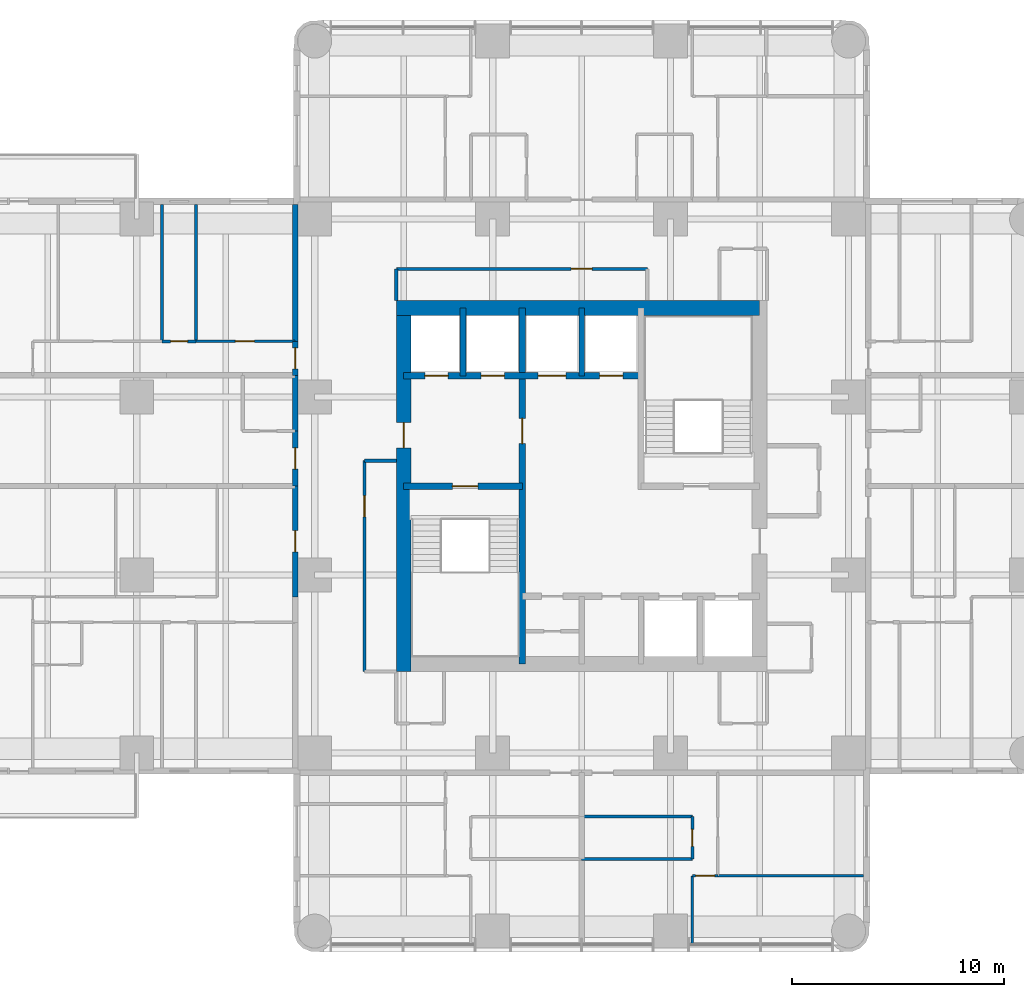
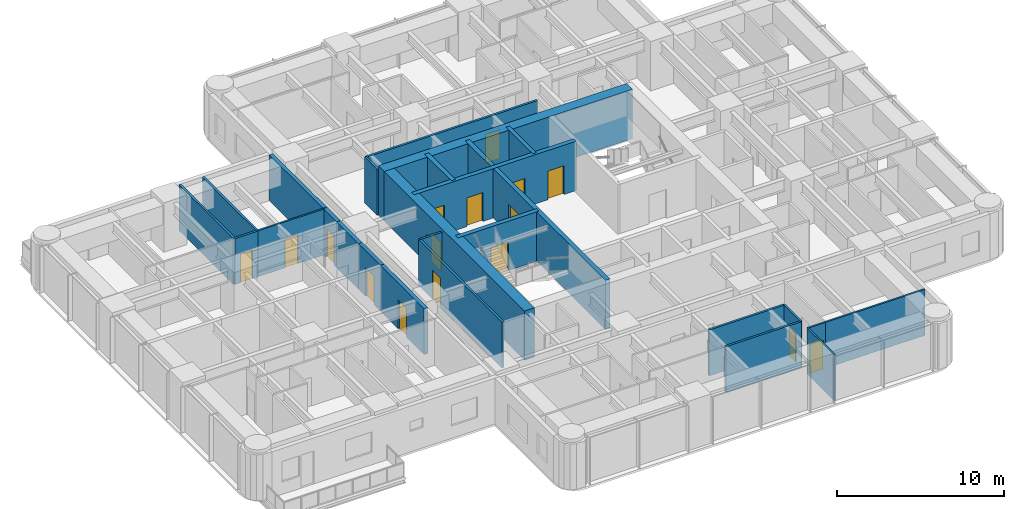
# One storey, part 6 of 11: 26 walls, 16 doors, 16 openings.
"""IFC4 building model written with IfcOpenShell, lengths in metres."""

from ifc_helpers import new_model, si_unit, direction, frame, frame_2d, origin, place, context, subcontext, project, spatial, rectangle, extrude, material, layer, layer_set, type_object, element, fill, save


model = new_model("IFC4")

# Units and contexts
model_context = context("Model", 3, precision=1e-05, world=origin(), true_north=direction((0.0, 1.0)))
body_context = subcontext(model_context, "Body", "Model", "MODEL_VIEW")
ifc_project = project(units=[si_unit("LENGTHUNIT", "METRE"), si_unit("AREAUNIT", "SQUARE_METRE"), si_unit("VOLUMEUNIT", "CUBIC_METRE"), si_unit("PLANEANGLEUNIT", "RADIAN"), si_unit("MASSUNIT", "GRAM", prefix="KILO")], contexts=[model_context])

# Site, building, storey
site_placement = place(None, origin())
site = spatial("IfcSite", under=ifc_project, at=site_placement, CompositionType="ELEMENT")
building_placement = place(site_placement, origin())
building = spatial("IfcBuilding", under=site, at=building_placement, Name="Torre Alcanfor", CompositionType="ELEMENT")
storey_placement = place(building_placement, frame((0.0, 0.0, 244.5)))
storey = spatial("IfcBuildingStorey", under=building, at=storey_placement, Name="L64", CompositionType="ELEMENT", Elevation=244.5)

# Wall, opening, door
ifc_material_1 = material(Name="Concrete block masonry, hollow blocks NMX-C-404 9 MPa", Category="masonry")
ifc_layer_1 = layer(ifc_material_1, 0.25)
ifc_layer_set_1 = layer_set([ifc_layer_1], Name="Apartment entrance wall 250 EI 60")
wall_type_1 = type_object("IfcWallType", Name="Apartment entrance wall 250 EI 60", PredefinedType="PARTITIONING", material=ifc_layer_set_1)
wall_1_placement = place(storey_placement, frame((15.875, 24.1708984375, 0.0), z_axis=(0.0, 0.0, 1.0), x_axis=(0.0, 1.0, 0.0)))
wall_1 = element("IfcWall", 1, at=wall_1_placement, inside=storey, type_object=wall_type_1, Name="Partition L64-CORR / L64-W1-ZAG", PredefinedType="PARTITIONING", context=body_context, shape_type="SweptSolid", body=[
    extrude(rectangle(XDim=5.22900390625, YDim=0.25, at=frame_2d((2.614501953125, 0.0))), origin(), (0.0, 0.0, 1.0), 3.35009765625),
])
opening_1_placement = place(wall_1_placement, frame((2.12890625, 0.0, 0.0)))
opening_1 = element("IfcOpeningElement", 2, at=opening_1_placement, cuts=wall_1, Name="Opening D-A1", PredefinedType="OPENING", context=body_context, shape_type="SweptSolid", body=[
    extrude(rectangle(XDim=1.0, YDim=2.10009765625, at=frame_2d((0.5, 1.050048828125))), frame((0.0, 0.135009765625, 0.0), z_axis=(0.0, -1.0, 0.0), x_axis=(1.0, 0.0, 0.0)), (0.0, 0.0, 1.0), 0.27001953125),
])
ifc_material_2 = material(Name="Galvanised steel sheet ASTM A653", Category="steel")
door_type_1 = type_object("IfcDoorType", Name="Apartment entrance door FD60 1000x2100", OperationType="SINGLE_SWING_LEFT", PredefinedType="DOOR", material=ifc_material_2)
door_1_placement = place(opening_1_placement, origin())
door_1 = element("IfcDoor", 3, at=door_1_placement, inside=storey, type_object=door_type_1, Name="Apartment entrance L64-W1", OperationType="SINGLE_SWING_RIGHT", OverallHeight=2.10009765625, OverallWidth=1.0, PredefinedType="DOOR", context=body_context, shape_type="SweptSolid", body=[
    extrude(rectangle(XDim=1.0, YDim=2.10009765625, at=frame_2d((0.5, 1.050048828125))), frame((0.0, 0.02490234375, 0.0), z_axis=(0.0, -1.0, 0.0), x_axis=(1.0, 0.0, 0.0)), (0.0, 0.0, 1.0), 0.050048828125),
])
fill(opening_1, door_1)

wall_2_placement = place(storey_placement, frame((15.875, 29.39990234375, 0.0), z_axis=(0.0, 0.0, 1.0), x_axis=(0.0, 1.0, 0.0)))
wall_2 = element("IfcWall", 4, at=wall_2_placement, inside=storey, type_object=wall_type_1, Name="Partition L64-CORR / L64-W2A-FOYER", PredefinedType="PARTITIONING", context=body_context, shape_type="SweptSolid", body=[
    extrude(rectangle(XDim=2.60009765625, YDim=0.25, at=frame_2d((1.300048828125, 0.0))), origin(), (0.0, 0.0, 1.0), 3.35009765625),
])
opening_2_placement = place(wall_2_placement, frame((0.800048828125, 0.0, 0.0)))
opening_2 = element("IfcOpeningElement", 5, at=opening_2_placement, cuts=wall_2, Name="Opening D-A1", PredefinedType="OPENING", context=body_context, shape_type="SweptSolid", body=[
    extrude(rectangle(XDim=1.0, YDim=2.10009765625, at=frame_2d((0.5, 1.050048828125))), frame((0.0, 0.135009765625, 0.0), z_axis=(0.0, -1.0, 0.0), x_axis=(1.0, 0.0, 0.0)), (0.0, 0.0, 1.0), 0.27001953125),
])
door_2_placement = place(opening_2_placement, origin())
door_2 = element("IfcDoor", 6, at=door_2_placement, inside=storey, type_object=door_type_1, Name="Apartment entrance L64-W2A", OperationType="SINGLE_SWING_LEFT", OverallHeight=2.10009765625, OverallWidth=1.0, PredefinedType="DOOR", context=body_context, shape_type="SweptSolid", body=[
    extrude(rectangle(XDim=1.0, YDim=2.10009765625, at=frame_2d((0.5, 1.050048828125))), frame((0.0, 0.02490234375, 0.0), z_axis=(0.0, -1.0, 0.0), x_axis=(1.0, 0.0, 0.0)), (0.0, 0.0, 1.0), 0.050048828125),
])
fill(opening_2, door_2)

# Wall
wall_3_placement = place(storey_placement, frame((15.875, 32.0, 0.0), z_axis=(0.0, 0.0, 1.0), x_axis=(0.0, 1.0, 0.0)))
element("IfcWall", 7, at=wall_3_placement, inside=storey, type_object=wall_type_1, Name="Partition L64-CORR / L64-W2A-BATH", PredefinedType="PARTITIONING", context=body_context, shape_type="SweptSolid", body=[
    extrude(rectangle(XDim=2.62890625, YDim=0.25, at=frame_2d((1.314453125, 0.0))), origin(), (0.0, 0.0, 1.0), 3.35009765625),
])

# Wall, opening, door
wall_4_placement = place(storey_placement, frame((15.875, 34.62890625, 0.0), z_axis=(0.0, 0.0, 1.0), x_axis=(0.0, 1.0, 0.0)))
wall_4 = element("IfcWall", 8, at=wall_4_placement, inside=storey, type_object=wall_type_1, Name="Partition L64-CORR / L64-W2B-HALL", PredefinedType="PARTITIONING", context=body_context, shape_type="SweptSolid", body=[
    extrude(rectangle(XDim=1.60009765625, YDim=0.25, at=frame_2d((0.800048828125, 0.0))), origin(), (0.0, 0.0, 1.0), 3.35009765625),
])
opening_3_placement = place(wall_4_placement, frame((0.300048828125, 0.0, 0.0)))
opening_3 = element("IfcOpeningElement", 9, at=opening_3_placement, cuts=wall_4, Name="Opening D-A1", PredefinedType="OPENING", context=body_context, shape_type="SweptSolid", body=[
    extrude(rectangle(XDim=1.0, YDim=2.10009765625, at=frame_2d((0.5, 1.050048828125))), frame((0.0, 0.135009765625, 0.0), z_axis=(0.0, -1.0, 0.0), x_axis=(1.0, 0.0, 0.0)), (0.0, 0.0, 1.0), 0.27001953125),
])
door_3_placement = place(opening_3_placement, origin())
door_3 = element("IfcDoor", 10, at=door_3_placement, inside=storey, type_object=door_type_1, Name="Apartment entrance L64-W2B", OperationType="SINGLE_SWING_LEFT", OverallHeight=2.10009765625, OverallWidth=1.0, PredefinedType="DOOR", context=body_context, shape_type="SweptSolid", body=[
    extrude(rectangle(XDim=1.0, YDim=2.10009765625, at=frame_2d((0.5, 1.050048828125))), frame((0.0, 0.02490234375, 0.0), z_axis=(0.0, -1.0, 0.0), x_axis=(1.0, 0.0, 0.0)), (0.0, 0.0, 1.0), 0.050048828125),
])
fill(opening_3, door_3)

# Wall
wall_5_placement = place(storey_placement, frame((15.875, 36.22900390625, 0.0), z_axis=(0.0, 0.0, 1.0), x_axis=(0.0, 1.0, 0.0)))
element("IfcWall", 11, at=wall_5_placement, inside=storey, type_object=wall_type_1, Name="Partition L64-CORR / L64-W2B-BED2", PredefinedType="PARTITIONING", context=body_context, shape_type="SweptSolid", body=[
    extrude(rectangle(XDim=6.470947265625, YDim=0.25, at=frame_2d((3.2353515625, 0.0))), origin(), (0.0, 0.0, 1.0), 3.35009765625),
])

# Wall, opening, door
ifc_material_3 = material(Name="Gypsum board on steel studs", Category="steel")
ifc_layer_2 = layer(ifc_material_3, 0.1201171875)
ifc_layer_set_2 = layer_set([ifc_layer_2], Name="Apartment partition 120")
wall_type_2 = type_object("IfcWallType", Name="Apartment partition 120", PredefinedType="PARTITIONING", material=ifc_layer_set_2)
wall_6_placement = place(storey_placement, frame((35.8291015625, 11.0, 0.0), z_axis=(0.0, 0.0, 1.0), x_axis=(-1.0, 0.0, 0.0)))
wall_6 = element("IfcWall", 12, at=wall_6_placement, inside=storey, type_object=wall_type_2, Name="Partition L64-S1-LIVING / L64-S1-MASTER", PredefinedType="PARTITIONING", context=body_context, shape_type="SweptSolid", body=[
    extrude(rectangle(XDim=1.2001953125, YDim=0.1201171875, at=frame_2d((0.60009765625, 0.0))), origin(), (0.0, 0.0, 1.0), 3.35009765625),
])
opening_4_placement = place(wall_6_placement, frame((0.14892578125, 0.0, 0.0)))
opening_4 = element("IfcOpeningElement", 13, at=opening_4_placement, cuts=wall_6, Name="Opening D-R1", PredefinedType="OPENING", context=body_context, shape_type="SweptSolid", body=[
    extrude(rectangle(XDim=0.89990234375, YDim=2.10009765625, at=frame_2d((0.449951171875, 1.050048828125))), frame((0.0, 0.070068359375, 0.0), z_axis=(0.0, -1.0, 0.0), x_axis=(1.0, 0.0, 0.0)), (0.0, 0.0, 1.0), 0.14013671875),
])
ifc_material_4 = material(Name="Timber", Category="wood")
door_type_2 = type_object("IfcDoorType", Name="Internal door 900x2100", OperationType="SINGLE_SWING_LEFT", PredefinedType="DOOR", material=ifc_material_4)
door_4_placement = place(opening_4_placement, origin())
door_4 = element("IfcDoor", 14, at=door_4_placement, inside=storey, type_object=door_type_2, Name="Door L64-S1 master", OperationType="SINGLE_SWING_RIGHT", OverallHeight=2.10009765625, OverallWidth=0.89990234375, PredefinedType="DOOR", context=body_context, shape_type="SweptSolid", body=[
    extrude(rectangle(XDim=0.89990234375, YDim=2.10009765625, at=frame_2d((0.449951171875, 1.050048828125))), frame((0.0, 0.02490234375, 0.0), z_axis=(0.0, -1.0, 0.0), x_axis=(1.0, 0.0, 0.0)), (0.0, 0.0, 1.0), 0.050048828125),
])
fill(opening_4, door_4)

# Walls
wall_7_placement = place(storey_placement, frame((34.62890625, 11.0, 0.0), z_axis=(0.0, 0.0, 1.0), x_axis=(0.0, -1.0, 0.0)))
element("IfcWall", 15, at=wall_7_placement, inside=storey, type_object=wall_type_2, Name="Partition L64-S1-LIVING / L64-S1-MASTER", PredefinedType="PARTITIONING", context=body_context, shape_type="SweptSolid", body=[
    extrude(rectangle(XDim=3.25, YDim=0.1201171875, at=frame_2d((1.625, 0.0))), origin(), (0.0, 0.0, 1.0), 3.35009765625),
])
wall_8_placement = place(storey_placement, frame((35.8291015625, 11.0, 0.0), z_axis=(0.0, 0.0, 1.0), x_axis=(1.0, 0.0, 0.0)))
element("IfcWall", 16, at=wall_8_placement, inside=storey, type_object=wall_type_2, Name="Partition L64-S1-BED2 / L64-S1-MASTER", PredefinedType="PARTITIONING", context=body_context, shape_type="SweptSolid", body=[
    extrude(rectangle(XDim=6.870849609375, YDim=0.1201171875, at=frame_2d((3.435546875, 0.0))), origin(), (0.0, 0.0, 1.0), 3.35009765625),
])

# Wall, opening, door
wall_9_placement = place(storey_placement, frame((11.199951171875, 36.22900390625, 0.0), z_axis=(0.0, 0.0, 1.0), x_axis=(1.0, 0.0, 0.0)))
wall_9 = element("IfcWall", 17, at=wall_9_placement, inside=storey, type_object=wall_type_2, Name="Partition L64-W2B-HALL / L64-W2B-BED2", PredefinedType="PARTITIONING", context=body_context, shape_type="SweptSolid", body=[
    extrude(rectangle(XDim=4.675048828125, YDim=0.1201171875, at=frame_2d((2.33740234375, 0.0))), origin(), (0.0, 0.0, 1.0), 3.35009765625),
])
opening_5_placement = place(wall_9_placement, frame((1.85009765625, 0.0, 0.0)))
opening_5 = element("IfcOpeningElement", 18, at=opening_5_placement, cuts=wall_9, Name="Opening D-R1", PredefinedType="OPENING", context=body_context, shape_type="SweptSolid", body=[
    extrude(rectangle(XDim=0.89990234375, YDim=2.10009765625, at=frame_2d((0.449951171875, 1.050048828125))), frame((0.0, 0.070068359375, 0.0), z_axis=(0.0, -1.0, 0.0), x_axis=(1.0, 0.0, 0.0)), (0.0, 0.0, 1.0), 0.14013671875),
])
door_5_placement = place(opening_5_placement, origin())
door_5 = element("IfcDoor", 19, at=door_5_placement, inside=storey, type_object=door_type_2, Name="Door L64-W2B bed2", OperationType="SINGLE_SWING_LEFT", OverallHeight=2.10009765625, OverallWidth=0.89990234375, PredefinedType="DOOR", context=body_context, shape_type="SweptSolid", body=[
    extrude(rectangle(XDim=0.89990234375, YDim=2.10009765625, at=frame_2d((0.449951171875, 1.050048828125))), frame((0.0, 0.02490234375, 0.0), z_axis=(0.0, -1.0, 0.0), x_axis=(1.0, 0.0, 0.0)), (0.0, 0.0, 1.0), 0.050048828125),
])
fill(opening_5, door_5)

ifc_material_5 = material(Name="Concrete f'c 70 MPa", Category="concrete")
ifc_layer_3 = layer(ifc_material_5, 0.300048828125)
ifc_layer_set_3 = layer_set([ifc_layer_3], Name="Core inner wall 300 f'c70")
wall_type_3 = type_object("IfcWallType", Name="Core inner wall 300 f'c70", PredefinedType="SHEAR", material=ifc_layer_set_3)
wall_10_placement = place(storey_placement, frame((26.60009765625, 21.0, 0.0), z_axis=(0.0, 0.0, 1.0), x_axis=(0.0, 1.0, 0.0)))
wall_10 = element("IfcWall", 20, at=wall_10_placement, inside=storey, type_object=wall_type_3, Name="Core wall X266 L64", PredefinedType="SHEAR", context=body_context, shape_type="SweptSolid", body=[
    extrude(rectangle(XDim=16.800048828125, YDim=0.300048828125, at=frame_2d((8.39990234375, 0.0))), origin(), (0.0, 0.0, 1.0), 3.60009765625),
])
opening_6_placement = place(wall_10_placement, frame((10.39990234375, 0.0, 0.0)))
opening_6 = element("IfcOpeningElement", 21, at=opening_6_placement, cuts=wall_10, Name="Opening D-L1", PredefinedType="OPENING", context=body_context, shape_type="SweptSolid", body=[
    extrude(rectangle(XDim=1.199951171875, YDim=2.10009765625, at=frame_2d((0.60009765625, 1.050048828125))), frame((0.0, 0.159912109375, 0.0), z_axis=(0.0, -1.0, 0.0), x_axis=(1.0, 0.0, 0.0)), (0.0, 0.0, 1.0), 0.320068359375),
])
ifc_material_6 = material(Name="Galvanised steel sheet ASTM A653", Category="steel")
door_type_3 = type_object("IfcDoorType", Name="Lobby door FD120 1200x2100", OperationType="SINGLE_SWING_LEFT", PredefinedType="DOOR", material=ifc_material_6)
door_6_placement = place(opening_6_placement, origin())
door_6 = element("IfcDoor", 22, at=door_6_placement, inside=storey, type_object=door_type_3, Name="Lift lobby door L64", OperationType="SINGLE_SWING_LEFT", OverallHeight=2.10009765625, OverallWidth=1.199951171875, PredefinedType="DOOR", context=body_context, shape_type="SweptSolid", body=[
    extrude(rectangle(XDim=1.199951171875, YDim=2.10009765625, at=frame_2d((0.60009765625, 1.050048828125))), frame((0.0, 0.02490234375, 0.0), z_axis=(0.0, -1.0, 0.0), x_axis=(1.0, 0.0, 0.0)), (0.0, 0.0, 1.0), 0.050048828125),
])
fill(opening_6, door_6)

wall_11_placement = place(storey_placement, frame((21.0, 29.39990234375, 0.0), z_axis=(0.0, 0.0, 1.0), x_axis=(1.0, 0.0, 0.0)))
wall_11 = element("IfcWall", 23, at=wall_11_placement, inside=storey, type_object=wall_type_3, Name="Core wall Y294W L64", PredefinedType="SHEAR", context=body_context, shape_type="SweptSolid", body=[
    extrude(rectangle(XDim=5.60009765625, YDim=0.300048828125, at=frame_2d((2.800048828125, 0.0))), origin(), (0.0, 0.0, 1.0), 3.60009765625),
])
opening_7_placement = place(wall_11_placement, frame((2.300048828125, 0.0, 0.0)))
opening_7 = element("IfcOpeningElement", 24, at=opening_7_placement, cuts=wall_11, Name="Opening D-S2", PredefinedType="OPENING", context=body_context, shape_type="SweptSolid", body=[
    extrude(rectangle(XDim=1.199951171875, YDim=2.10009765625, at=frame_2d((0.60009765625, 1.050048828125))), frame((0.0, 0.159912109375, 0.0), z_axis=(0.0, -1.0, 0.0), x_axis=(1.0, 0.0, 0.0)), (0.0, 0.0, 1.0), 0.320068359375),
])
ifc_material_7 = material(Name="Galvanised steel sheet ASTM A653", Category="steel")
door_type_4 = type_object("IfcDoorType", Name="Stair enclosure door FD120 1200x2100", OperationType="SINGLE_SWING_LEFT", PredefinedType="DOOR", material=ifc_material_7)
door_7_placement = place(opening_7_placement, frame((1.199951171875, 0.0, 0.0), z_axis=(0.0, 0.0, 1.0), x_axis=(-1.0, 0.0, 0.0)))
door_7 = element("IfcDoor", 25, at=door_7_placement, inside=storey, type_object=door_type_4, Name="Stair S1 door L64", OperationType="SINGLE_SWING_LEFT", OverallHeight=2.10009765625, OverallWidth=1.199951171875, PredefinedType="DOOR", context=body_context, shape_type="SweptSolid", body=[
    extrude(rectangle(XDim=1.199951171875, YDim=2.10009765625, at=frame_2d((0.599853515625, 1.050048828125))), frame((0.0, 0.025146484375, 0.0), z_axis=(0.0, -1.0, 0.0), x_axis=(1.0, 0.0, 0.0)), (0.0, 0.0, 1.0), 0.050048828125),
])
fill(opening_7, door_7)

# Wall, openings, doors
wall_12_placement = place(storey_placement, frame((21.0, 34.60009765625, 0.0), z_axis=(0.0, 0.0, 1.0), x_axis=(1.0, 0.0, 0.0)))
wall_12 = element("IfcWall", 26, at=wall_12_placement, inside=storey, type_object=wall_type_3, Name="Core wall Y346 L64", PredefinedType="SHEAR", context=body_context, shape_type="SweptSolid", body=[
    extrude(rectangle(XDim=11.199951171875, YDim=0.300048828125, at=frame_2d((5.60009765625, 0.0))), origin(), (0.0, 0.0, 1.0), 3.60009765625),
])
opening_8_placement = place(wall_12_placement, frame((9.25, 0.0, 0.0)))
opening_8 = element("IfcOpeningElement", 27, at=opening_8_placement, cuts=wall_12, Name="Opening LD1", PredefinedType="OPENING", context=body_context, shape_type="SweptSolid", body=[
    extrude(rectangle(XDim=1.10009765625, YDim=2.10009765625, at=frame_2d((0.550048828125, 1.050048828125))), frame((0.0, 0.159912109375, 0.0), z_axis=(0.0, -1.0, 0.0), x_axis=(1.0, 0.0, 0.0)), (0.0, 0.0, 1.0), 0.320068359375),
])
opening_9_placement = place(wall_12_placement, frame((1.0, 0.0, 0.0)))
opening_9 = element("IfcOpeningElement", 28, at=opening_9_placement, cuts=wall_12, Name="Opening LD2", PredefinedType="OPENING", context=body_context, shape_type="SweptSolid", body=[
    extrude(rectangle(XDim=1.10009765625, YDim=2.10009765625, at=frame_2d((0.550048828125, 1.050048828125))), frame((0.0, 0.159912109375, 0.0), z_axis=(0.0, -1.0, 0.0), x_axis=(1.0, 0.0, 0.0)), (0.0, 0.0, 1.0), 0.320068359375),
])
opening_10_placement = place(wall_12_placement, frame((3.64990234375, 0.0, 0.0)))
opening_10 = element("IfcOpeningElement", 29, at=opening_10_placement, cuts=wall_12, Name="Opening LD2", PredefinedType="OPENING", context=body_context, shape_type="SweptSolid", body=[
    extrude(rectangle(XDim=1.10009765625, YDim=2.10009765625, at=frame_2d((0.550048828125, 1.050048828125))), frame((0.0, 0.159912109375, 0.0), z_axis=(0.0, -1.0, 0.0), x_axis=(1.0, 0.0, 0.0)), (0.0, 0.0, 1.0), 0.320068359375),
])
opening_11_placement = place(wall_12_placement, frame((6.35009765625, 0.0, 0.0)))
opening_11 = element("IfcOpeningElement", 30, at=opening_11_placement, cuts=wall_12, Name="Opening LD3", PredefinedType="OPENING", context=body_context, shape_type="SweptSolid", body=[
    extrude(rectangle(XDim=1.300048828125, YDim=2.10009765625, at=frame_2d((0.64990234375, 1.050048828125))), frame((0.0, 0.159912109375, 0.0), z_axis=(0.0, -1.0, 0.0), x_axis=(1.0, 0.0, 0.0)), (0.0, 0.0, 1.0), 0.320068359375),
])
ifc_material_8 = material(Name="Galvanised steel sheet ASTM A653", Category="steel")
door_type_5 = type_object("IfcDoorType", Name="Firefighting lift landing door 1100x2100", OperationType="DOUBLE_DOOR_SLIDING", PredefinedType="DOOR", material=ifc_material_8)
door_8_placement = place(opening_9_placement, origin())
door_8 = element("IfcDoor", 31, at=door_8_placement, inside=storey, type_object=door_type_5, Name="Lift landing door FL1 L64", OperationType="DOUBLE_DOOR_SLIDING", OverallHeight=2.10009765625, OverallWidth=1.10009765625, PredefinedType="DOOR", context=body_context, shape_type="SweptSolid", body=[
    extrude(rectangle(XDim=1.10009765625, YDim=2.10009765625, at=frame_2d((0.550048828125, 1.050048828125))), frame((0.0, 0.02490234375, 0.0), z_axis=(0.0, -1.0, 0.0), x_axis=(1.0, 0.0, 0.0)), (0.0, 0.0, 1.0), 0.050048828125),
])
fill(opening_9, door_8)
door_9_placement = place(opening_10_placement, origin())
door_9 = element("IfcDoor", 32, at=door_9_placement, inside=storey, type_object=door_type_5, Name="Lift landing door FL2 L64", OperationType="DOUBLE_DOOR_SLIDING", OverallHeight=2.10009765625, OverallWidth=1.10009765625, PredefinedType="DOOR", context=body_context, shape_type="SweptSolid", body=[
    extrude(rectangle(XDim=1.10009765625, YDim=2.10009765625, at=frame_2d((0.550048828125, 1.050048828125))), frame((0.0, 0.02490234375, 0.0), z_axis=(0.0, -1.0, 0.0), x_axis=(1.0, 0.0, 0.0)), (0.0, 0.0, 1.0), 0.050048828125),
])
fill(opening_10, door_9)
ifc_material_9 = material(Name="Galvanised steel sheet ASTM A653", Category="steel")
door_type_6 = type_object("IfcDoorType", Name="Lift landing door 1100x2100", OperationType="DOUBLE_DOOR_SLIDING", PredefinedType="DOOR", material=ifc_material_9)
door_10_placement = place(opening_8_placement, origin())
door_10 = element("IfcDoor", 33, at=door_10_placement, inside=storey, type_object=door_type_6, Name="Lift landing door PA5 L64", OperationType="DOUBLE_DOOR_SLIDING", OverallHeight=2.10009765625, OverallWidth=1.10009765625, PredefinedType="DOOR", context=body_context, shape_type="SweptSolid", body=[
    extrude(rectangle(XDim=1.10009765625, YDim=2.10009765625, at=frame_2d((0.550048828125, 1.050048828125))), frame((0.0, 0.02490234375, 0.0), z_axis=(0.0, -1.0, 0.0), x_axis=(1.0, 0.0, 0.0)), (0.0, 0.0, 1.0), 0.050048828125),
])
fill(opening_8, door_10)
ifc_material_10 = material(Name="Galvanised steel sheet ASTM A653", Category="steel")
door_type_7 = type_object("IfcDoorType", Name="Service lift landing door 1300x2100", OperationType="DOUBLE_DOOR_SLIDING", PredefinedType="DOOR", material=ifc_material_10)
door_11_placement = place(opening_11_placement, origin())
door_11 = element("IfcDoor", 34, at=door_11_placement, inside=storey, type_object=door_type_7, Name="Lift landing door SL1 L64", OperationType="DOUBLE_DOOR_SLIDING", OverallHeight=2.10009765625, OverallWidth=1.300048828125, PredefinedType="DOOR", context=body_context, shape_type="SweptSolid", body=[
    extrude(rectangle(XDim=1.300048828125, YDim=2.10009765625, at=frame_2d((0.64990234375, 1.050048828125))), frame((0.0, 0.02490234375, 0.0), z_axis=(0.0, -1.0, 0.0), x_axis=(1.0, 0.0, 0.0)), (0.0, 0.0, 1.0), 0.050048828125),
])
fill(opening_11, door_11)

# Walls
wall_13_placement = place(storey_placement, frame((23.800048828125, 34.60009765625, 0.0), z_axis=(0.0, 0.0, 1.0), x_axis=(0.0, 1.0, 0.0)))
element("IfcWall", 35, at=wall_13_placement, inside=storey, type_object=wall_type_3, Name="Core wall X238 L64", PredefinedType="SHEAR", context=body_context, shape_type="SweptSolid", body=[
    extrude(rectangle(XDim=3.199951171875, YDim=0.300048828125, at=frame_2d((1.60009765625, 0.0))), origin(), (0.0, 0.0, 1.0), 3.60009765625),
])
ifc_material_11 = material(Name="Concrete f'c 70 MPa", Category="concrete")
ifc_layer_4 = layer(ifc_material_11, 0.25)
ifc_layer_set_4 = layer_set([ifc_layer_4], Name="Core shaft wall 250 f'c70")
wall_type_4 = type_object("IfcWallType", Name="Core shaft wall 250 f'c70", PredefinedType="SHEAR", material=ifc_layer_set_4)
wall_14_placement = place(storey_placement, frame((29.39990234375, 34.60009765625, 0.0), z_axis=(0.0, 0.0, 1.0), x_axis=(0.0, 1.0, 0.0)))
element("IfcWall", 36, at=wall_14_placement, inside=storey, type_object=wall_type_4, Name="Core wall X294N L64", PredefinedType="SHEAR", context=body_context, shape_type="SweptSolid", body=[
    extrude(rectangle(XDim=3.199951171875, YDim=0.25, at=frame_2d((1.60009765625, 0.0))), origin(), (0.0, 0.0, 1.0), 3.60009765625),
])
ifc_material_12 = material(Name="Concrete f'c 70 MPa", Category="concrete")
ifc_layer_5 = layer(ifc_material_12, 0.699951171875)
ifc_layer_set_5 = layer_set([ifc_layer_5], Name="Core wall 700 f'c70")
wall_type_5 = type_object("IfcWallType", Name="Core wall 700 f'c70", PredefinedType="SHEAR", material=ifc_layer_set_5)
wall_15_placement = place(storey_placement, frame((37.800048828125, 37.800048828125, 0.0), z_axis=(0.0, 0.0, 1.0), x_axis=(-1.0, 0.0, 0.0)))
element("IfcWall", 37, at=wall_15_placement, inside=storey, type_object=wall_type_5, Name="Core wall OUT-N L64", PredefinedType="SHEAR", context=body_context, shape_type="SweptSolid", body=[
    extrude(rectangle(XDim=17.150146484375, YDim=0.699951171875, at=frame_2d((8.5751953125, 0.0))), origin(), (0.0, 0.0, 1.0), 3.60009765625),
])

# Wall, opening, door
wall_16_placement = place(storey_placement, frame((21.0, 37.800048828125, 0.0), z_axis=(0.0, 0.0, 1.0), x_axis=(0.0, -1.0, 0.0)))
wall_16 = element("IfcWall", 38, at=wall_16_placement, inside=storey, type_object=wall_type_5, Name="Core wall OUT-W L64", PredefinedType="SHEAR", context=body_context, shape_type="SweptSolid", body=[
    extrude(rectangle(XDim=17.150146484375, YDim=0.699951171875, at=frame_2d((8.5751953125, 0.0))), origin(), (0.0, 0.0, 1.0), 3.60009765625),
])
opening_12_placement = place(wall_16_placement, frame((5.39990234375, 0.0, 0.0)))
opening_12 = element("IfcOpeningElement", 39, at=opening_12_placement, cuts=wall_16, Name="Opening D-L1", PredefinedType="OPENING", context=body_context, shape_type="SweptSolid", body=[
    extrude(rectangle(XDim=1.199951171875, YDim=2.10009765625, at=frame_2d((0.60009765625, 1.050048828125))), frame((0.0, 0.35986328125, 0.0), z_axis=(0.0, -1.0, 0.0), x_axis=(1.0, 0.0, 0.0)), (0.0, 0.0, 1.0), 0.719970703125),
])
door_12_placement = place(opening_12_placement, origin())
door_12 = element("IfcDoor", 40, at=door_12_placement, inside=storey, type_object=door_type_3, Name="Firefighting lobby door L64", OperationType="SINGLE_SWING_LEFT", OverallHeight=2.10009765625, OverallWidth=1.199951171875, PredefinedType="DOOR", context=body_context, shape_type="SweptSolid", body=[
    extrude(rectangle(XDim=1.199951171875, YDim=2.10009765625, at=frame_2d((0.60009765625, 1.050048828125))), frame((0.0, 0.02490234375, 0.0), z_axis=(0.0, -1.0, 0.0), x_axis=(1.0, 0.0, 0.0)), (0.0, 0.0, 1.0), 0.050048828125),
])
fill(opening_12, door_12)

ifc_material_13 = material(Name="Concrete block masonry, hollow blocks NMX-C-404 9 MPa", Category="masonry")
ifc_layer_6 = layer(ifc_material_13, 0.14990234375)
ifc_layer_set_6 = layer_set([ifc_layer_6], Name="Residents' room partition 150")
wall_type_6 = type_object("IfcWallType", Name="Residents' room partition 150", PredefinedType="PARTITIONING", material=ifc_layer_set_6)
wall_17_placement = place(storey_placement, frame((32.5, 39.64990234375, 0.0), z_axis=(0.0, 0.0, 1.0), x_axis=(-1.0, 0.0, 0.0)))
wall_17 = element("IfcWall", 41, at=wall_17_placement, inside=storey, type_object=wall_type_6, Name="Partition L64-CORR / L64-G01", PredefinedType="PARTITIONING", context=body_context, shape_type="SweptSolid", body=[
    extrude(rectangle(XDim=11.85009765625, YDim=0.14990234375, at=frame_2d((5.925048828125, 0.0))), origin(), (0.0, 0.0, 1.0), 3.35009765625),
])
opening_13_placement = place(wall_17_placement, frame((2.60009765625, 0.0, 0.0)))
opening_13 = element("IfcOpeningElement", 42, at=opening_13_placement, cuts=wall_17, Name="Opening D-M1", PredefinedType="OPENING", context=body_context, shape_type="SweptSolid", body=[
    extrude(rectangle(XDim=1.0, YDim=2.10009765625, at=frame_2d((0.5, 1.050048828125))), frame((0.0, 0.0849609375, 0.0), z_axis=(0.0, -1.0, 0.0), x_axis=(1.0, 0.0, 0.0)), (0.0, 0.0, 1.0), 0.169921875),
])
ifc_material_14 = material(Name="Timber", Category="wood")
door_type_8 = type_object("IfcDoorType", Name="Residents' room door 1000x2100", OperationType="SINGLE_SWING_LEFT", PredefinedType="DOOR", material=ifc_material_14)
door_13_placement = place(opening_13_placement, origin())
door_13 = element("IfcDoor", 43, at=door_13_placement, inside=storey, type_object=door_type_8, Name="Door L64-G01 residents' lockers", OperationType="SINGLE_SWING_LEFT", OverallHeight=2.10009765625, OverallWidth=1.0, PredefinedType="DOOR", context=body_context, shape_type="SweptSolid", body=[
    extrude(rectangle(XDim=1.0, YDim=2.10009765625, at=frame_2d((0.5, 1.050048828125))), frame((0.0, 0.02490234375, 0.0), z_axis=(0.0, -1.0, 0.0), x_axis=(1.0, 0.0, 0.0)), (0.0, 0.0, 1.0), 0.050048828125),
])
fill(opening_13, door_13)

# Walls
for number, where, z_axis, x_axis, name in (
    (44, (20.64990234375, 39.64990234375, 0.0), (0.0, 0.0, 1.0), (0.0, -1.0, 0.0), "Partition L64-CORR / L64-G01"),
    (45, (20.64990234375, 30.60009765625, 0.0), (0.0, 0.0, 1.0), (-1.0, 0.0, 0.0), "Partition L64-CORR / L64-G07"),
):
    element("IfcWall", number, at=place(storey_placement, frame(where, z_axis=z_axis, x_axis=x_axis)), inside=storey, type_object=wall_type_6, Name=name, PredefinedType="PARTITIONING", context=body_context, shape_type="SweptSolid", body=[
        extrude(rectangle(XDim=1.5, YDim=0.14990234375, at=frame_2d((0.75, 0.0))), origin(), (0.0, 0.0, 1.0), 3.35009765625),
    ])

# Wall, opening, door
wall_18_placement = place(storey_placement, frame((19.14990234375, 30.60009765625, 0.0), z_axis=(0.0, 0.0, 1.0), x_axis=(0.0, -1.0, 0.0)))
wall_18 = element("IfcWall", 46, at=wall_18_placement, inside=storey, type_object=wall_type_6, Name="Partition L64-CORR / L64-G07", PredefinedType="PARTITIONING", context=body_context, shape_type="SweptSolid", body=[
    extrude(rectangle(XDim=9.9501953125, YDim=0.14990234375, at=frame_2d((4.97509765625, 0.0))), origin(), (0.0, 0.0, 1.0), 3.35009765625),
])
opening_14_placement = place(wall_18_placement, frame((1.64990234375, 0.0, 0.0)))
opening_14 = element("IfcOpeningElement", 47, at=opening_14_placement, cuts=wall_18, Name="Opening D-M1", PredefinedType="OPENING", context=body_context, shape_type="SweptSolid", body=[
    extrude(rectangle(XDim=1.0, YDim=2.10009765625, at=frame_2d((0.5, 1.050048828125))), frame((0.0, 0.0849609375, 0.0), z_axis=(0.0, -1.0, 0.0), x_axis=(1.0, 0.0, 0.0)), (0.0, 0.0, 1.0), 0.169921875),
])
door_14_placement = place(opening_14_placement, origin())
door_14 = element("IfcDoor", 48, at=door_14_placement, inside=storey, type_object=door_type_8, Name="Door L64-G07 pram and wheelchair store", OperationType="SINGLE_SWING_LEFT", OverallHeight=2.10009765625, OverallWidth=1.0, PredefinedType="DOOR", context=body_context, shape_type="SweptSolid", body=[
    extrude(rectangle(XDim=1.0, YDim=2.10009765625, at=frame_2d((0.5, 1.050048828125))), frame((0.0, 0.02490234375, 0.0), z_axis=(0.0, -1.0, 0.0), x_axis=(1.0, 0.0, 0.0)), (0.0, 0.0, 1.0), 0.050048828125),
])
fill(opening_14, door_14)

# Wall
ifc_material_15 = material(Name="Cement board on steel studs", Category="steel")
ifc_layer_7 = layer(ifc_material_15, 0.14990234375)
ifc_layer_set_7 = layer_set([ifc_layer_7], Name="Wet area partition 150")
wall_type_7 = type_object("IfcWallType", Name="Wet area partition 150", PredefinedType="PARTITIONING", material=ifc_layer_set_7)
wall_19_placement = place(storey_placement, frame((29.39990234375, 11.800048828125, 0.0), z_axis=(0.0, 0.0, 1.0), x_axis=(1.0, 0.0, 0.0)))
element("IfcWall", 49, at=wall_19_placement, inside=storey, type_object=wall_type_7, Name="Partition L64-S1-BATH / L64-S1-LIVING", PredefinedType="PARTITIONING", context=body_context, shape_type="SweptSolid", body=[
    extrude(rectangle(XDim=5.22900390625, YDim=0.14990234375, at=frame_2d((2.614501953125, 0.0))), origin(), (0.0, 0.0, 1.0), 3.35009765625),
])

# Wall, opening, door
wall_20_placement = place(storey_placement, frame((34.62890625, 11.800048828125, 0.0), z_axis=(0.0, 0.0, 1.0), x_axis=(0.0, 1.0, 0.0)))
wall_20 = element("IfcWall", 50, at=wall_20_placement, inside=storey, type_object=wall_type_7, Name="Partition L64-S1-BATH / L64-S1-LIVING", PredefinedType="PARTITIONING", context=body_context, shape_type="SweptSolid", body=[
    extrude(rectangle(XDim=2.0, YDim=0.14990234375, at=frame_2d((1.0, 0.0))), origin(), (0.0, 0.0, 1.0), 3.35009765625),
])
opening_15_placement = place(wall_20_placement, frame((0.60009765625, 0.0, 0.0)))
opening_15 = element("IfcOpeningElement", 51, at=opening_15_placement, cuts=wall_20, Name="Opening D-R2", PredefinedType="OPENING", context=body_context, shape_type="SweptSolid", body=[
    extrude(rectangle(XDim=0.800048828125, YDim=2.10009765625, at=frame_2d((0.39990234375, 1.050048828125))), frame((0.0, 0.0849609375, 0.0), z_axis=(0.0, -1.0, 0.0), x_axis=(1.0, 0.0, 0.0)), (0.0, 0.0, 1.0), 0.169921875),
])
ifc_material_16 = material(Name="Timber", Category="wood")
door_type_9 = type_object("IfcDoorType", Name="Bathroom door 800x2100", OperationType="SINGLE_SWING_LEFT", PredefinedType="DOOR", material=ifc_material_16)
door_15_placement = place(opening_15_placement, origin())
door_15 = element("IfcDoor", 52, at=door_15_placement, inside=storey, type_object=door_type_9, Name="Door L64-S1 bath", OperationType="SINGLE_SWING_LEFT", OverallHeight=2.10009765625, OverallWidth=0.800048828125, PredefinedType="DOOR", context=body_context, shape_type="SweptSolid", body=[
    extrude(rectangle(XDim=0.800048828125, YDim=2.10009765625, at=frame_2d((0.39990234375, 1.050048828125))), frame((0.0, 0.02490234375, 0.0), z_axis=(0.0, -1.0, 0.0), x_axis=(1.0, 0.0, 0.0)), (0.0, 0.0, 1.0), 0.050048828125),
])
fill(opening_15, door_15)

# Wall
wall_21_placement = place(storey_placement, frame((34.62890625, 13.800048828125, 0.0), z_axis=(0.0, 0.0, 1.0), x_axis=(-1.0, 0.0, 0.0)))
element("IfcWall", 53, at=wall_21_placement, inside=storey, type_object=wall_type_7, Name="Partition L64-S1-BATH / L64-S1-LIVING", PredefinedType="PARTITIONING", context=body_context, shape_type="SweptSolid", body=[
    extrude(rectangle(XDim=5.22900390625, YDim=0.14990234375, at=frame_2d((2.614501953125, 0.0))), origin(), (0.0, 0.0, 1.0), 3.35009765625),
])

# Wall, opening, door
wall_22_placement = place(storey_placement, frame((9.60009765625, 36.22900390625, 0.0), z_axis=(0.0, 0.0, 1.0), x_axis=(1.0, 0.0, 0.0)))
wall_22 = element("IfcWall", 54, at=wall_22_placement, inside=storey, type_object=wall_type_7, Name="Partition L64-W2B-HALL / L64-W2B-BATH", PredefinedType="PARTITIONING", context=body_context, shape_type="SweptSolid", body=[
    extrude(rectangle(XDim=1.599853515625, YDim=0.14990234375, at=frame_2d((0.7998046875, 0.0))), origin(), (0.0, 0.0, 1.0), 3.35009765625),
])
opening_16_placement = place(wall_22_placement, frame((0.39990234375, 0.0, 0.0)))
opening_16 = element("IfcOpeningElement", 55, at=opening_16_placement, cuts=wall_22, Name="Opening D-R2", PredefinedType="OPENING", context=body_context, shape_type="SweptSolid", body=[
    extrude(rectangle(XDim=0.800048828125, YDim=2.10009765625, at=frame_2d((0.39990234375, 1.050048828125))), frame((0.0, 0.0849609375, 0.0), z_axis=(0.0, -1.0, 0.0), x_axis=(1.0, 0.0, 0.0)), (0.0, 0.0, 1.0), 0.169921875),
])
door_16_placement = place(opening_16_placement, origin())
door_16 = element("IfcDoor", 56, at=door_16_placement, inside=storey, type_object=door_type_9, Name="Door L64-W2B bath", OperationType="SINGLE_SWING_LEFT", OverallHeight=2.10009765625, OverallWidth=0.800048828125, PredefinedType="DOOR", context=body_context, shape_type="SweptSolid", body=[
    extrude(rectangle(XDim=0.800048828125, YDim=2.10009765625, at=frame_2d((0.39990234375, 1.050048828125))), frame((0.0, 0.02490234375, 0.0), z_axis=(0.0, -1.0, 0.0), x_axis=(1.0, 0.0, 0.0)), (0.0, 0.0, 1.0), 0.050048828125),
])
fill(opening_16, door_16)

# Walls
for number, where, z_axis, x_axis, name in (
    (57, (11.199951171875, 36.22900390625, 0.0), (0.0, 0.0, 1.0), (0.0, 1.0, 0.0), "Partition L64-W2B-BED2 / L64-W2B-BATH"),
    (58, (9.60009765625, 36.22900390625, 0.0), (0.0, 0.0, 1.0), (0.0, 1.0, 0.0), "Partition L64-W2B-BATH / L64-W2B-MASTER"),
):
    element("IfcWall", number, at=place(storey_placement, frame(where, z_axis=z_axis, x_axis=x_axis)), inside=storey, type_object=wall_type_7, Name=name, PredefinedType="PARTITIONING", context=body_context, shape_type="SweptSolid", body=[
        extrude(rectangle(XDim=6.470947265625, YDim=0.14990234375, at=frame_2d((3.2353515625, 0.0))), origin(), (0.0, 0.0, 1.0), 3.35009765625),
    ])

save(model, "model.ifc")
